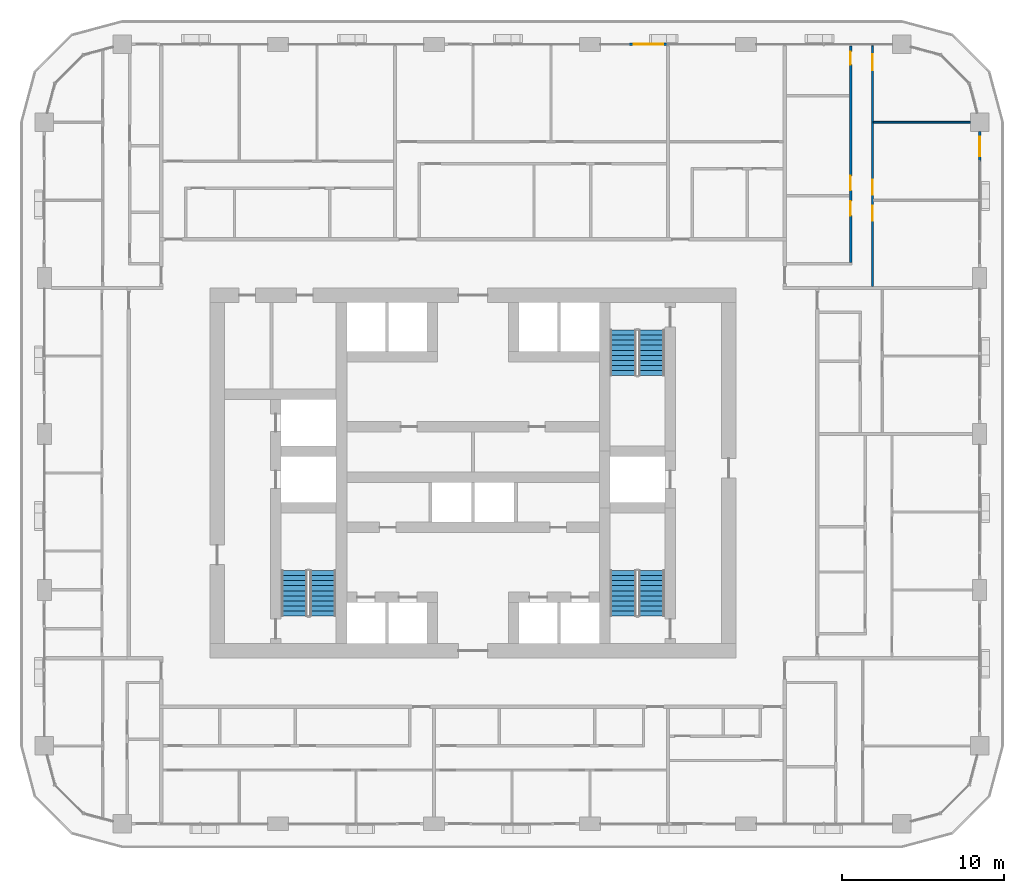
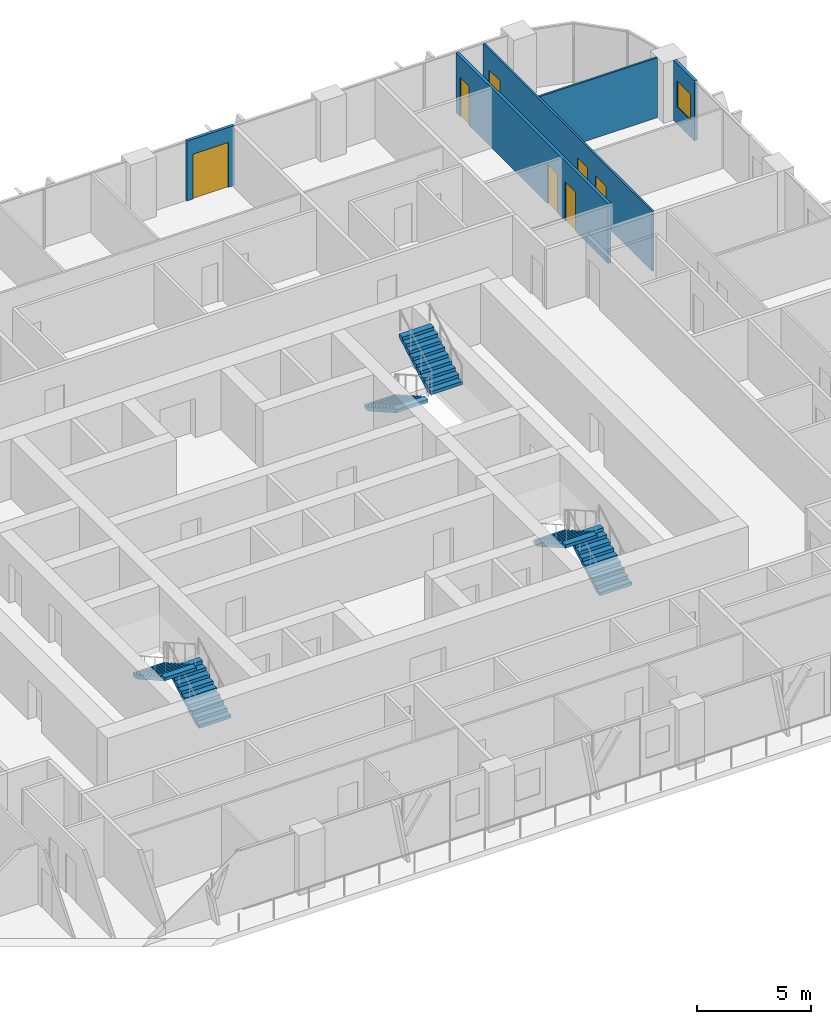
# One storey, part 15 of 21: 7 doors, 6 stair flights, 5 walls, 1 window, 8 openings, 3 elements without a shape of their own.
"""IFC4 building model written with IfcOpenShell, lengths in metres."""

from ifc_helpers import new_model, si_unit, direction, frame, frame_2d, origin, place, context, subcontext, project, spatial, polyline, rectangle, outline, extrude, material, layer, layer_set, type_object, element, fill, aggregate, save


model = new_model("IFC4")

# Units and contexts
model_context = context("Model", 3, precision=1e-05, world=origin(), true_north=direction((0.0, 1.0)))
body_context = subcontext(model_context, "Body", "Model", "MODEL_VIEW")
ifc_project = project(units=[si_unit("LENGTHUNIT", "METRE"), si_unit("AREAUNIT", "SQUARE_METRE"), si_unit("VOLUMEUNIT", "CUBIC_METRE"), si_unit("PLANEANGLEUNIT", "RADIAN"), si_unit("MASSUNIT", "GRAM", prefix="KILO")], contexts=[model_context])

# Site, building, storey
site_placement = place(None, origin())
site = spatial("IfcSite", under=ifc_project, at=site_placement, CompositionType="ELEMENT")
building_placement = place(site_placement, origin())
building = spatial("IfcBuilding", under=site, at=building_placement, Name="Madar Terraces", CompositionType="ELEMENT")
storey_placement = place(building_placement, frame((0.0, 0.0, 96.199951171875)))
storey = spatial("IfcBuildingStorey", under=building, at=storey_placement, Name="L24", CompositionType="ELEMENT", Elevation=96.199951171875)

# Wall, opening, window
ifc_material_1 = material(Name="Aluminium composite panel, black, over insulated backing", Category="aluminium")
ifc_layer_1 = layer(ifc_material_1, 0.14990234375)
ifc_layer_set_1 = layer_set([ifc_layer_1], Name="Facade bay panel 150")
wall_type_1 = type_object("IfcWallType", Name="Facade bay panel 150", PredefinedType="SOLIDWALL", material=ifc_layer_set_1)
wall_1_placement = place(storey_placement, frame((62.39990234375, 45.60009765625, 0.0), z_axis=(0.0, 0.0, 1.0), x_axis=(0.0, 1.0, 0.0)))
wall_1 = element("IfcWall", 1, at=wall_1_placement, inside=storey, type_object=wall_type_1, Name="Facade bay panel", PredefinedType="SOLIDWALL", context=body_context, shape_type="SweptSolid", body=[
    extrude(rectangle(XDim=1.824951171875, YDim=0.14990234375, at=frame_2d((0.91259765625, 0.0))), origin(), (0.0, 0.0, 1.0), 3.199951171875),
])
opening_1_placement = place(wall_1_placement, frame((0.3125, 0.0, 0.89990234375)))
opening_1 = element("IfcOpeningElement", 2, at=opening_1_placement, cuts=wall_1, Name="Opening W1", PredefinedType="OPENING", context=body_context, shape_type="SweptSolid", body=[
    extrude(rectangle(XDim=1.199951171875, YDim=1.39990234375, at=frame_2d((0.60009765625, 0.699951171875))), frame((0.0, 0.0849609375, 0.0), z_axis=(0.0, -1.0, 0.0), x_axis=(1.0, 0.0, 0.0)), (0.0, 0.0, 1.0), 0.169921875),
])
ifc_material_2 = material(Name="Glass, clear, with black aluminium frame", Category="aluminium")
window_type = type_object("IfcWindowType", Name="Vent window 1200 x 1400", PartitioningType="SINGLE_PANEL", PredefinedType="WINDOW", material=ifc_material_2)
window_placement = place(opening_1_placement, origin())
window = element("IfcWindow", 3, at=window_placement, inside=storey, type_object=window_type, Name="Operable vent window", OverallHeight=1.39990234375, OverallWidth=1.199951171875, PartitioningType="SINGLE_PANEL", PredefinedType="WINDOW", context=body_context, shape_type="SweptSolid", body=[
    extrude(rectangle(XDim=1.199951171875, YDim=1.39990234375, at=frame_2d((0.60009765625, 0.699951171875))), frame((0.0, 0.030029296875, 0.0), z_axis=(0.0, -1.0, 0.0), x_axis=(1.0, 0.0, 0.0)), (0.0, 0.0, 1.0), 0.06005859375),
])
fill(opening_1, window)

# Wall, opening, door
wall_2_placement = place(storey_placement, frame((43.199951171875, 52.800048828125, 0.0), z_axis=(0.0, 0.0, 1.0), x_axis=(-1.0, 0.0, 0.0)))
wall_2 = element("IfcWall", 4, at=wall_2_placement, inside=storey, type_object=wall_type_1, Name="Facade bay panel", PredefinedType="SOLIDWALL", context=body_context, shape_type="SweptSolid", body=[
    extrude(rectangle(XDim=2.39990234375, YDim=0.14990234375, at=frame_2d((1.199951171875, 0.0))), origin(), (0.0, 0.0, 1.0), 3.199951171875),
])
opening_2_placement = place(wall_2_placement, frame((0.300048828125, 0.0, 0.0)))
opening_2 = element("IfcOpeningElement", 5, at=opening_2_placement, cuts=wall_2, Name="Opening ED1", PredefinedType="OPENING", context=body_context, shape_type="SweptSolid", body=[
    extrude(rectangle(XDim=1.800048828125, YDim=2.39990234375, at=frame_2d((0.89990234375, 1.199951171875))), frame((0.0, 0.0849609375, 0.0), z_axis=(0.0, -1.0, 0.0), x_axis=(1.0, 0.0, 0.0)), (0.0, 0.0, 1.0), 0.169921875),
])
ifc_material_3 = material(Name="Glass, clear, with black aluminium frame", Category="aluminium")
door_type_1 = type_object("IfcDoorType", Name="Balcony and terrace sliding door 1800 x 2400", OperationType="SLIDING_TO_LEFT", PredefinedType="DOOR", material=ifc_material_3)
door_1_placement = place(opening_2_placement, origin())
door_1 = element("IfcDoor", 6, at=door_1_placement, inside=storey, type_object=door_type_1, Name="Balcony door", OperationType="SLIDING_TO_RIGHT", OverallHeight=2.39990234375, OverallWidth=1.800048828125, PredefinedType="DOOR", context=body_context, shape_type="SweptSolid", body=[
    extrude(rectangle(XDim=1.800048828125, YDim=2.39990234375, at=frame_2d((0.89990234375, 1.199951171875))), frame((0.0, 0.02490234375, 0.0), z_axis=(0.0, -1.0, 0.0), x_axis=(1.0, 0.0, 0.0)), (0.0, 0.0, 1.0), 0.050048828125),
])
fill(opening_2, door_1)

# Wall
ifc_material_4 = material(Name="Gypsum board on steel studs", Category="steel")
ifc_layer_2 = layer(ifc_material_4, 0.10009765625)
ifc_layer_set_2 = layer_set([ifc_layer_2], Name="Flat partition 100")
wall_type_2 = type_object("IfcWallType", Name="Flat partition 100", PredefinedType="PARTITIONING", material=ifc_layer_set_2)
wall_3_placement = place(storey_placement, frame((55.85009765625, 48.0, 0.0), z_axis=(0.0, 0.0, 1.0), x_axis=(1.0, 0.0, 0.0)))
element("IfcWall", 7, at=wall_3_placement, inside=storey, type_object=wall_type_2, Name="Flat partition 100", PredefinedType="PARTITIONING", context=body_context, shape_type="SweptSolid", body=[
    extrude(rectangle(XDim=5.974853515625, YDim=0.10009765625, at=frame_2d((2.9873046875, 0.0))), origin(), (0.0, 0.0, 1.0), 3.199951171875),
])

# Wall, openings, doors
wall_4_placement = place(storey_placement, frame((55.800048828125, 52.699951171875, 0.0), z_axis=(0.0, 0.0, 1.0), x_axis=(0.0, -1.0, 0.0)))
wall_4 = element("IfcWall", 8, at=wall_4_placement, inside=storey, type_object=wall_type_2, Name="Flat partition 100", PredefinedType="PARTITIONING", context=body_context, shape_type="SweptSolid", body=[
    extrude(rectangle(XDim=14.800048828125, YDim=0.10009765625, at=frame_2d((7.39990234375, 0.0))), origin(), (0.0, 0.0, 1.0), 3.199951171875),
])
opening_3_placement = place(wall_4_placement, frame((9.85009765625, 0.0, 0.0)))
opening_3 = element("IfcOpeningElement", 9, at=opening_3_placement, cuts=wall_4, Name="Opening D2", PredefinedType="OPENING", context=body_context, shape_type="SweptSolid", body=[
    extrude(rectangle(XDim=0.89990234375, YDim=2.10009765625, at=frame_2d((0.449951171875, 1.050048828125))), frame((0.0, 0.06005859375, 0.0), z_axis=(0.0, -1.0, 0.0), x_axis=(1.0, 0.0, 0.0)), (0.0, 0.0, 1.0), 0.1201171875),
])
opening_4_placement = place(wall_4_placement, frame((8.25, 0.0, 0.0)))
opening_4 = element("IfcOpeningElement", 10, at=opening_4_placement, cuts=wall_4, Name="Opening D2", PredefinedType="OPENING", context=body_context, shape_type="SweptSolid", body=[
    extrude(rectangle(XDim=0.89990234375, YDim=2.10009765625, at=frame_2d((0.449951171875, 1.050048828125))), frame((0.0, 0.06005859375, 0.0), z_axis=(0.0, -1.0, 0.0), x_axis=(1.0, 0.0, 0.0)), (0.0, 0.0, 1.0), 0.1201171875),
])
opening_5_placement = place(wall_4_placement, frame((0.5, 0.0, 0.0)))
opening_5 = element("IfcOpeningElement", 11, at=opening_5_placement, cuts=wall_4, Name="Opening D3", PredefinedType="OPENING", context=body_context, shape_type="SweptSolid", body=[
    extrude(rectangle(XDim=1.0, YDim=2.10009765625, at=frame_2d((0.5, 1.050048828125))), frame((0.0, 0.06005859375, 0.0), z_axis=(0.0, -1.0, 0.0), x_axis=(1.0, 0.0, 0.0)), (0.0, 0.0, 1.0), 0.1201171875),
])
ifc_material_5 = material(Name="Timber door leaf", Category="wood")
door_type_2 = type_object("IfcDoorType", Name="Flat living room door 1000", OperationType="NOTDEFINED", PredefinedType="DOOR", material=ifc_material_5)
door_2_placement = place(opening_5_placement, origin())
door_2 = element("IfcDoor", 12, at=door_2_placement, inside=storey, type_object=door_type_2, Name="Flat living room door 1000", OperationType="SINGLE_SWING_LEFT", OverallHeight=2.10009765625, OverallWidth=1.0, PredefinedType="DOOR", context=body_context, shape_type="SweptSolid", body=[
    extrude(rectangle(XDim=1.0, YDim=2.10009765625, at=frame_2d((0.5, 1.050048828125))), frame((0.0, 0.02490234375, 0.0), z_axis=(0.0, -1.0, 0.0), x_axis=(1.0, 0.0, 0.0)), (0.0, 0.0, 1.0), 0.050048828125),
])
fill(opening_5, door_2)
ifc_material_6 = material(Name="Timber door leaf", Category="wood")
door_type_3 = type_object("IfcDoorType", Name="Flat room door 900", OperationType="NOTDEFINED", PredefinedType="DOOR", material=ifc_material_6)
door_3_placement = place(opening_3_placement, origin())
door_3 = element("IfcDoor", 13, at=door_3_placement, inside=storey, type_object=door_type_3, Name="Flat room door 900", OperationType="SINGLE_SWING_LEFT", OverallHeight=2.10009765625, OverallWidth=0.89990234375, PredefinedType="DOOR", context=body_context, shape_type="SweptSolid", body=[
    extrude(rectangle(XDim=0.89990234375, YDim=2.10009765625, at=frame_2d((0.449951171875, 1.050048828125))), frame((0.0, 0.02490234375, 0.0), z_axis=(0.0, -1.0, 0.0), x_axis=(1.0, 0.0, 0.0)), (0.0, 0.0, 1.0), 0.050048828125),
])
fill(opening_3, door_3)
door_4_placement = place(opening_4_placement, origin())
door_4 = element("IfcDoor", 14, at=door_4_placement, inside=storey, type_object=door_type_3, Name="Flat room door 900", OperationType="SINGLE_SWING_RIGHT", OverallHeight=2.10009765625, OverallWidth=0.89990234375, PredefinedType="DOOR", context=body_context, shape_type="SweptSolid", body=[
    extrude(rectangle(XDim=0.89990234375, YDim=2.10009765625, at=frame_2d((0.449951171875, 1.050048828125))), frame((0.0, 0.02490234375, 0.0), z_axis=(0.0, -1.0, 0.0), x_axis=(1.0, 0.0, 0.0)), (0.0, 0.0, 1.0), 0.050048828125),
])
fill(opening_4, door_4)

ifc_material_7 = material(Name="Lightweight blockwork", Category="masonry")
ifc_layer_3 = layer(ifc_material_7, 0.14990234375)
ifc_layer_set_3 = layer_set([ifc_layer_3], Name="Flat wet-room partition 150")
wall_type_3 = type_object("IfcWallType", Name="Flat wet-room partition 150", PredefinedType="PARTITIONING", material=ifc_layer_set_3)
wall_5_placement = place(storey_placement, frame((54.449951171875, 39.375, 0.0), z_axis=(0.0, 0.0, 1.0), x_axis=(0.0, 1.0, 0.0)))
wall_5 = element("IfcWall", 15, at=wall_5_placement, inside=storey, type_object=wall_type_3, Name="Flat wet-room partition 150", PredefinedType="PARTITIONING", context=body_context, shape_type="SweptSolid", body=[
    extrude(rectangle(XDim=13.324951171875, YDim=0.14990234375, at=frame_2d((6.66259765625, 0.0))), origin(), (0.0, 0.0, 1.0), 3.199951171875),
])
opening_6_placement = place(wall_5_placement, frame((2.875, 0.0, 0.0)))
opening_6 = element("IfcOpeningElement", 16, at=opening_6_placement, cuts=wall_5, Name="Opening D5", PredefinedType="OPENING", context=body_context, shape_type="SweptSolid", body=[
    extrude(rectangle(XDim=0.89990234375, YDim=2.10009765625, at=frame_2d((0.449951171875, 1.050048828125))), frame((0.0, 0.0849609375, 0.0), z_axis=(0.0, -1.0, 0.0), x_axis=(1.0, 0.0, 0.0)), (0.0, 0.0, 1.0), 0.169921875),
])
opening_7_placement = place(wall_5_placement, frame((4.425048828125, 0.0, 0.0)))
opening_7 = element("IfcOpeningElement", 17, at=opening_7_placement, cuts=wall_5, Name="Opening D2", PredefinedType="OPENING", context=body_context, shape_type="SweptSolid", body=[
    extrude(rectangle(XDim=0.89990234375, YDim=2.10009765625, at=frame_2d((0.449951171875, 1.050048828125))), frame((0.0, 0.0849609375, 0.0), z_axis=(0.0, -1.0, 0.0), x_axis=(1.0, 0.0, 0.0)), (0.0, 0.0, 1.0), 0.169921875),
])
opening_8_placement = place(wall_5_placement, frame((12.175048828125, 0.0, 0.0)))
opening_8 = element("IfcOpeningElement", 18, at=opening_8_placement, cuts=wall_5, Name="Opening D4", PredefinedType="OPENING", context=body_context, shape_type="SweptSolid", body=[
    extrude(rectangle(XDim=0.800048828125, YDim=2.10009765625, at=frame_2d((0.39990234375, 1.050048828125))), frame((0.0, 0.0849609375, 0.0), z_axis=(0.0, -1.0, 0.0), x_axis=(1.0, 0.0, 0.0)), (0.0, 0.0, 1.0), 0.169921875),
])
ifc_material_8 = material(Name="Timber door leaf", Category="wood")
door_type_4 = type_object("IfcDoorType", Name="Flat accessible bathroom door 900", OperationType="NOTDEFINED", PredefinedType="DOOR", material=ifc_material_8)
door_5_placement = place(opening_6_placement, origin())
door_5 = element("IfcDoor", 19, at=door_5_placement, inside=storey, type_object=door_type_4, Name="Flat accessible bathroom door 900", OperationType="SINGLE_SWING_RIGHT", OverallHeight=2.10009765625, OverallWidth=0.89990234375, PredefinedType="DOOR", context=body_context, shape_type="SweptSolid", body=[
    extrude(rectangle(XDim=0.89990234375, YDim=2.10009765625, at=frame_2d((0.449951171875, 1.050048828125))), frame((0.0, 0.02490234375, 0.0), z_axis=(0.0, -1.0, 0.0), x_axis=(1.0, 0.0, 0.0)), (0.0, 0.0, 1.0), 0.050048828125),
])
fill(opening_6, door_5)
ifc_material_9 = material(Name="Timber door leaf", Category="wood")
door_type_5 = type_object("IfcDoorType", Name="Flat bathroom door 800", OperationType="NOTDEFINED", PredefinedType="DOOR", material=ifc_material_9)
door_6_placement = place(opening_8_placement, origin())
door_6 = element("IfcDoor", 20, at=door_6_placement, inside=storey, type_object=door_type_5, Name="Flat bathroom door 800", OperationType="SINGLE_SWING_RIGHT", OverallHeight=2.10009765625, OverallWidth=0.800048828125, PredefinedType="DOOR", context=body_context, shape_type="SweptSolid", body=[
    extrude(rectangle(XDim=0.800048828125, YDim=2.10009765625, at=frame_2d((0.39990234375, 1.050048828125))), frame((0.0, 0.02490234375, 0.0), z_axis=(0.0, -1.0, 0.0), x_axis=(1.0, 0.0, 0.0)), (0.0, 0.0, 1.0), 0.050048828125),
])
fill(opening_8, door_6)
door_7_placement = place(opening_7_placement, origin())
door_7 = element("IfcDoor", 21, at=door_7_placement, inside=storey, type_object=door_type_3, Name="Flat room door 900", OperationType="SINGLE_SWING_LEFT", OverallHeight=2.10009765625, OverallWidth=0.89990234375, PredefinedType="DOOR", context=body_context, shape_type="SweptSolid", body=[
    extrude(rectangle(XDim=0.89990234375, YDim=2.10009765625, at=frame_2d((0.449951171875, 1.050048828125))), frame((0.0, 0.02490234375, 0.0), z_axis=(0.0, -1.0, 0.0), x_axis=(1.0, 0.0, 0.0)), (0.0, 0.0, 1.0), 0.050048828125),
])
fill(opening_7, door_7)

# Stair, stair flights
ifc_material_10 = material(Name="Concrete C50/60", Category="concrete")
stair_type_1 = type_object("IfcStairType", Name="Stair ST1 protected exit", PredefinedType="HALF_TURN_STAIR", material=ifc_material_10)
stair_1_placement = place(storey_placement, origin())
stair_1 = element("IfcStair", 22, at=stair_1_placement, inside=storey, type_object=stair_type_1, Name="L24 Protected Exit Stair ST1", PredefinedType="HALF_TURN_STAIR")
ifc_material_11 = material(Name="Concrete C50/60", Category="concrete")
stair_flight_type_1 = type_object("IfcStairFlightType", Name="Stair flight ST1-F4, 1600 wide, 10 risers", PredefinedType="STRAIGHT", material=ifc_material_11)
stair_flight_1_placement = place(storey_placement, frame((21.949951171875, 17.60009765625, 0.0), z_axis=(0.0, 0.0, 1.0), x_axis=(0.0, 1.0, 0.0)))
stair_flight_1 = element("IfcStairFlight", 23, at=stair_flight_1_placement, type_object=stair_flight_type_1, Name="ST1 flight 1", NumberOfRisers=10, NumberOfTreads=9, PredefinedType="STRAIGHT", RiserHeight=0.175, TreadLength=0.31, context=body_context, shape_type="SweptSolid", body=[
    extrude(outline(polyline([(0.0, 0.0), (0.0, 0.175048828125), (0.31005859375, 0.175048828125), (0.31005859375, 0.35009765625), (0.6201171875, 0.35009765625), (0.6201171875, 0.52490234375), (0.929931640625, 0.52490234375), (0.929931640625, 0.699951171875), (1.239990234375, 0.699951171875), (1.239990234375, 0.875), (1.550048828125, 0.875), (1.550048828125, 1.050048828125), (1.860107421875, 1.050048828125), (1.860107421875, 1.22509765625), (2.169921875, 1.22509765625), (2.169921875, 1.39990234375), (2.47998046875, 1.39990234375), (2.47998046875, 1.574951171875), (2.7900390625, 1.574951171875), (2.7900390625, 1.75), (2.7900390625, 1.40283203125), (0.304931640625, 0.0), (0.0, 0.0)])), frame((0.0, 0.800048828125, 0.0), z_axis=(0.0, -1.0, 0.0), x_axis=(1.0, 0.0, 0.0)), (0.0, 0.0, 1.0), 1.60009765625),
])
stair_flight_2_placement = place(storey_placement, frame((20.199951171875, 20.389892578125, 1.75), z_axis=(0.0, 0.0, 1.0), x_axis=(0.0, -1.0, 0.0)))
stair_flight_2 = element("IfcStairFlight", 24, at=stair_flight_2_placement, type_object=stair_flight_type_1, Name="ST1 flight 2", NumberOfRisers=10, NumberOfTreads=9, PredefinedType="STRAIGHT", RiserHeight=0.175, TreadLength=0.31, context=body_context, shape_type="SweptSolid", body=[
    extrude(outline(polyline([(0.0, 0.0), (0.0, 0.175048828125), (0.31005859375, 0.175048828125), (0.31005859375, 0.35009765625), (0.6201171875, 0.35009765625), (0.6201171875, 0.52490234375), (0.929931640625, 0.52490234375), (0.929931640625, 0.699951171875), (1.239990234375, 0.699951171875), (1.239990234375, 0.875), (1.550048828125, 0.875), (1.550048828125, 1.050048828125), (1.860107421875, 1.050048828125), (1.860107421875, 1.22509765625), (2.169921875, 1.22509765625), (2.169921875, 1.39990234375), (2.47998046875, 1.39990234375), (2.47998046875, 1.574951171875), (2.7900390625, 1.574951171875), (2.7900390625, 1.75), (2.7900390625, 1.40283203125), (0.304931640625, 0.0), (0.0, 0.0)])), frame((0.0, 0.800048828125, 0.0), z_axis=(0.0, -1.0, 0.0), x_axis=(1.0, 0.0, 0.0)), (0.0, 0.0, 1.0), 1.60009765625),
])
aggregate(stair_1, [stair_flight_1, stair_flight_2])

ifc_material_12 = material(Name="Concrete C50/60", Category="concrete")
stair_type_2 = type_object("IfcStairType", Name="Stair ST2 protected exit", PredefinedType="HALF_TURN_STAIR", material=ifc_material_12)
stair_2_placement = place(storey_placement, origin())
stair_2 = element("IfcStair", 25, at=stair_2_placement, inside=storey, type_object=stair_type_2, Name="L24 Protected Exit Stair ST2", PredefinedType="HALF_TURN_STAIR")
ifc_material_13 = material(Name="Concrete C50/60", Category="concrete")
stair_flight_type_2 = type_object("IfcStairFlightType", Name="Stair flight ST2-F4, 1600 wide, 10 risers", PredefinedType="STRAIGHT", material=ifc_material_13)
stair_flight_3_placement = place(storey_placement, frame((40.449951171875, 35.199951171875, 0.0), z_axis=(0.0, 0.0, 1.0), x_axis=(0.0, -1.0, 0.0)))
stair_flight_3 = element("IfcStairFlight", 26, at=stair_flight_3_placement, type_object=stair_flight_type_2, Name="ST2 flight 1", NumberOfRisers=10, NumberOfTreads=9, PredefinedType="STRAIGHT", RiserHeight=0.175, TreadLength=0.31, context=body_context, shape_type="SweptSolid", body=[
    extrude(outline(polyline([(0.0, 0.0), (0.0, 0.175048828125), (0.31005859375, 0.175048828125), (0.31005859375, 0.35009765625), (0.6201171875, 0.35009765625), (0.6201171875, 0.52490234375), (0.929931640625, 0.52490234375), (0.929931640625, 0.699951171875), (1.239990234375, 0.699951171875), (1.239990234375, 0.875), (1.550048828125, 0.875), (1.550048828125, 1.050048828125), (1.860107421875, 1.050048828125), (1.860107421875, 1.22509765625), (2.169921875, 1.22509765625), (2.169921875, 1.39990234375), (2.47998046875, 1.39990234375), (2.47998046875, 1.574951171875), (2.7900390625, 1.574951171875), (2.7900390625, 1.75), (2.7900390625, 1.40283203125), (0.304931640625, 0.0), (0.0, 0.0)])), frame((0.0, 0.800048828125, 0.0), z_axis=(0.0, -1.0, 0.0), x_axis=(1.0, 0.0, 0.0)), (0.0, 0.0, 1.0), 1.60009765625),
])
stair_flight_4_placement = place(storey_placement, frame((42.199951171875, 32.409912109375, 1.75), z_axis=(0.0, 0.0, 1.0), x_axis=(0.0, 1.0, 0.0)))
stair_flight_4 = element("IfcStairFlight", 27, at=stair_flight_4_placement, type_object=stair_flight_type_2, Name="ST2 flight 2", NumberOfRisers=10, NumberOfTreads=9, PredefinedType="STRAIGHT", RiserHeight=0.175, TreadLength=0.31, context=body_context, shape_type="SweptSolid", body=[
    extrude(outline(polyline([(0.0, 0.0), (0.0, 0.175048828125), (0.31005859375, 0.175048828125), (0.31005859375, 0.35009765625), (0.6201171875, 0.35009765625), (0.6201171875, 0.52490234375), (0.929931640625, 0.52490234375), (0.929931640625, 0.699951171875), (1.239990234375, 0.699951171875), (1.239990234375, 0.875), (1.550048828125, 0.875), (1.550048828125, 1.050048828125), (1.860107421875, 1.050048828125), (1.860107421875, 1.22509765625), (2.169921875, 1.22509765625), (2.169921875, 1.39990234375), (2.47998046875, 1.39990234375), (2.47998046875, 1.574951171875), (2.7900390625, 1.574951171875), (2.7900390625, 1.75), (2.7900390625, 1.40283203125), (0.304931640625, 0.0), (0.0, 0.0)])), frame((0.0, 0.800048828125, 0.0), z_axis=(0.0, -1.0, 0.0), x_axis=(1.0, 0.0, 0.0)), (0.0, 0.0, 1.0), 1.60009765625),
])
aggregate(stair_2, [stair_flight_3, stair_flight_4])

ifc_material_14 = material(Name="Concrete C50/60", Category="concrete")
stair_type_3 = type_object("IfcStairType", Name="Stair ST3 protected exit", PredefinedType="HALF_TURN_STAIR", material=ifc_material_14)
stair_3_placement = place(storey_placement, origin())
stair_3 = element("IfcStair", 28, at=stair_3_placement, inside=storey, type_object=stair_type_3, Name="L24 Protected Exit Stair ST3", PredefinedType="HALF_TURN_STAIR")
ifc_material_15 = material(Name="Concrete C50/60", Category="concrete")
stair_flight_type_3 = type_object("IfcStairFlightType", Name="Stair flight ST3-F4, 1600 wide, 10 risers", PredefinedType="STRAIGHT", material=ifc_material_15)
stair_flight_5_placement = place(storey_placement, frame((42.199951171875, 17.60009765625, 0.0), z_axis=(0.0, 0.0, 1.0), x_axis=(0.0, 1.0, 0.0)))
stair_flight_5 = element("IfcStairFlight", 29, at=stair_flight_5_placement, type_object=stair_flight_type_3, Name="ST3 flight 1", NumberOfRisers=10, NumberOfTreads=9, PredefinedType="STRAIGHT", RiserHeight=0.175, TreadLength=0.31, context=body_context, shape_type="SweptSolid", body=[
    extrude(outline(polyline([(0.0, 0.0), (0.0, 0.175048828125), (0.31005859375, 0.175048828125), (0.31005859375, 0.35009765625), (0.6201171875, 0.35009765625), (0.6201171875, 0.52490234375), (0.929931640625, 0.52490234375), (0.929931640625, 0.699951171875), (1.239990234375, 0.699951171875), (1.239990234375, 0.875), (1.550048828125, 0.875), (1.550048828125, 1.050048828125), (1.860107421875, 1.050048828125), (1.860107421875, 1.22509765625), (2.169921875, 1.22509765625), (2.169921875, 1.39990234375), (2.47998046875, 1.39990234375), (2.47998046875, 1.574951171875), (2.7900390625, 1.574951171875), (2.7900390625, 1.75), (2.7900390625, 1.40283203125), (0.304931640625, 0.0), (0.0, 0.0)])), frame((0.0, 0.800048828125, 0.0), z_axis=(0.0, -1.0, 0.0), x_axis=(1.0, 0.0, 0.0)), (0.0, 0.0, 1.0), 1.60009765625),
])
stair_flight_6_placement = place(storey_placement, frame((40.449951171875, 20.389892578125, 1.75), z_axis=(0.0, 0.0, 1.0), x_axis=(0.0, -1.0, 0.0)))
stair_flight_6 = element("IfcStairFlight", 30, at=stair_flight_6_placement, type_object=stair_flight_type_3, Name="ST3 flight 2", NumberOfRisers=10, NumberOfTreads=9, PredefinedType="STRAIGHT", RiserHeight=0.175, TreadLength=0.31, context=body_context, shape_type="SweptSolid", body=[
    extrude(outline(polyline([(0.0, 0.0), (0.0, 0.175048828125), (0.31005859375, 0.175048828125), (0.31005859375, 0.35009765625), (0.6201171875, 0.35009765625), (0.6201171875, 0.52490234375), (0.929931640625, 0.52490234375), (0.929931640625, 0.699951171875), (1.239990234375, 0.699951171875), (1.239990234375, 0.875), (1.550048828125, 0.875), (1.550048828125, 1.050048828125), (1.860107421875, 1.050048828125), (1.860107421875, 1.22509765625), (2.169921875, 1.22509765625), (2.169921875, 1.39990234375), (2.47998046875, 1.39990234375), (2.47998046875, 1.574951171875), (2.7900390625, 1.574951171875), (2.7900390625, 1.75), (2.7900390625, 1.40283203125), (0.304931640625, 0.0), (0.0, 0.0)])), frame((0.0, 0.800048828125, 0.0), z_axis=(0.0, -1.0, 0.0), x_axis=(1.0, 0.0, 0.0)), (0.0, 0.0, 1.0), 1.60009765625),
])
aggregate(stair_3, [stair_flight_5, stair_flight_6])

save(model, "model.ifc")
